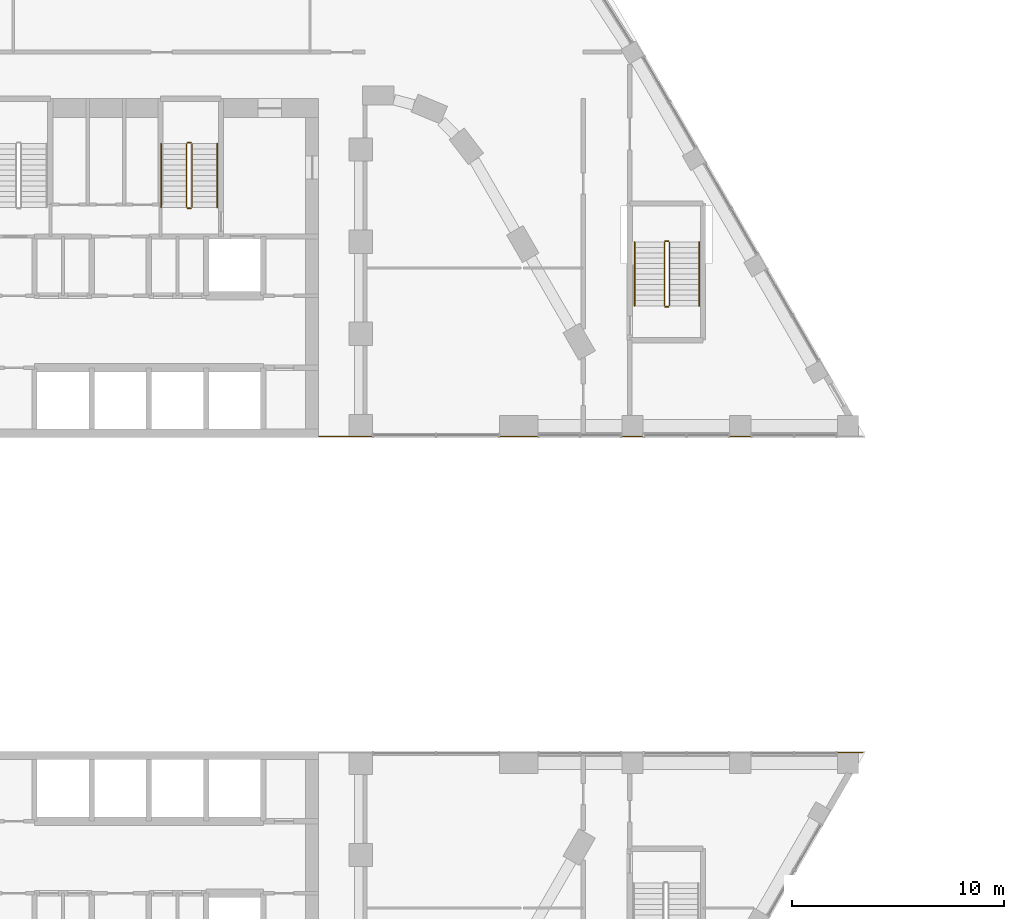
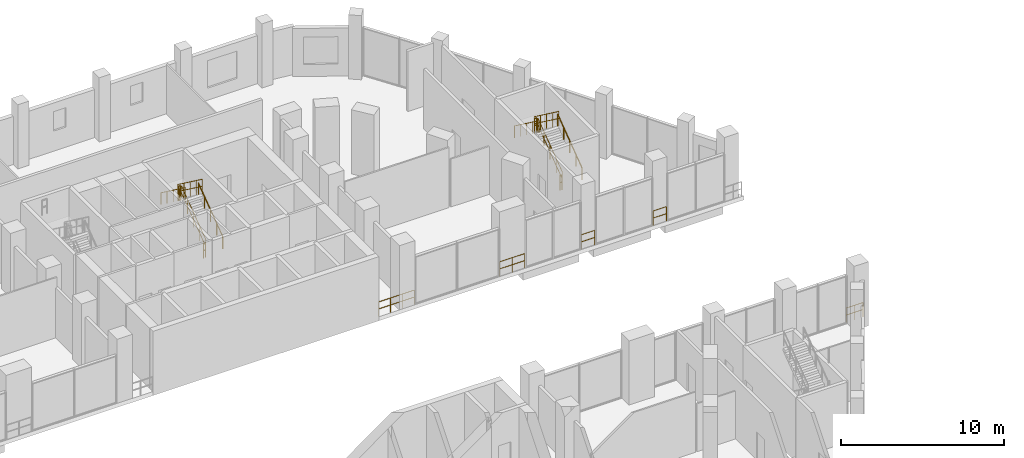
# One storey, part 39 of 45: 17 railings.
"""IFC4 building model written with IfcOpenShell, lengths in metres."""

from ifc_helpers import new_model, si_unit, direction, frame, origin, origin_2d, place, context, subcontext, project, spatial, circle, extrude, material, type_object, element, save


model = new_model("IFC4")

# Units and contexts
model_context = context("Model", 3, precision=1e-05, world=origin(), true_north=direction((0.0, 1.0)))
body_context = subcontext(model_context, "Body", "Model", "MODEL_VIEW")
ifc_project = project(units=[si_unit("LENGTHUNIT", "METRE"), si_unit("AREAUNIT", "SQUARE_METRE"), si_unit("VOLUMEUNIT", "CUBIC_METRE"), si_unit("PLANEANGLEUNIT", "RADIAN"), si_unit("MASSUNIT", "GRAM", prefix="KILO")], contexts=[model_context])

# Site, building, storey
site_placement = place(None, origin())
site = spatial("IfcSite", under=ifc_project, at=site_placement, CompositionType="ELEMENT")
building_placement = place(site_placement, origin())
building = spatial("IfcBuilding", under=site, at=building_placement, Name="Nakaniwa Court", CompositionType="ELEMENT")
storey_placement = place(building_placement, frame((0.0, 0.0, 6.60009765625)))
storey = spatial("IfcBuildingStorey", under=building, at=storey_placement, Name="L01", CompositionType="ELEMENT", Elevation=6.60009765625)

# Railings
ifc_material_1 = material(Name="Black powder coated steel guard", Category="steel")
railing_type_1 = type_object("IfcRailingType", Name="Stair guard 1100", PredefinedType="GUARDRAIL", material=ifc_material_1)
railing_1_placement = place(storey_placement, frame((82.02490234375, 98.27490234375, 0.1845703125)))
element("IfcRailing", 1, at=railing_1_placement, inside=storey, type_object=railing_type_1, Name="L01 ST2 stair guard 1", PredefinedType="GUARDRAIL", context=body_context, shape_type="SweptSolid", body=[
    extrude(circle(Radius=0.02392578125, at=origin_2d()), frame((0.0, 0.0, 1.076171875), z_axis=(0.0, 0.804440004972, 0.594033903411), x_axis=(-1.0, 0.0, 0.0)), (0.0, 0.0, 1.0), 3.729248046875),
    extrude(circle(Radius=0.02392578125, at=origin_2d()), frame((0.0, 0.0, 0.550048828125), z_axis=(0.0, 0.804440004972, 0.594033903411), x_axis=(-1.0, 0.0, 0.0)), (0.0, 0.0, 1.0), 3.729248046875),
    extrude(circle(Radius=0.02099609375, at=origin_2d()), origin(), (0.0, 0.0, 1.0), 1.052001953125),
    extrude(circle(Radius=0.02099609375, at=origin_2d()), frame((0.0, 0.75, 0.5537109375)), (0.0, 0.0, 1.0), 1.052001953125),
    extrude(circle(Radius=0.02099609375, at=origin_2d()), frame((0.0, 1.5, 1.107666015625)), (0.0, 0.0, 1.0), 1.052001953125),
    extrude(circle(Radius=0.02099609375, at=origin_2d()), frame((0.0, 2.25, 1.66162109375)), (0.0, 0.0, 1.0), 1.052001953125),
    extrude(circle(Radius=0.02099609375, at=origin_2d()), frame((0.0, 3.0, 2.21533203125)), (0.0, 0.0, 1.0), 1.052001953125),
])
railing_2_placement = place(storey_placement, frame((81.97509765625, 101.324951171875, 2.39990234375)))
element("IfcRailing", 2, at=railing_2_placement, inside=storey, type_object=railing_type_1, Name="L01 ST2 stair guard 2", PredefinedType="GUARDRAIL", context=body_context, shape_type="SweptSolid", body=[
    extrude(circle(Radius=0.02392578125, at=origin_2d()), frame((0.0, 0.0, 1.076171875), z_axis=(-1.0, 0.0, 0.0), x_axis=(0.0, -1.0, 0.0)), (0.0, 0.0, 1.0), 0.150146484375),
    extrude(circle(Radius=0.02392578125, at=origin_2d()), frame((0.0, 0.0, 0.550048828125), z_axis=(-1.0, 0.0, 0.0), x_axis=(0.0, -1.0, 0.0)), (0.0, 0.0, 1.0), 0.150146484375),
    extrude(circle(Radius=0.02099609375, at=origin_2d()), origin(), (0.0, 0.0, 1.0), 1.052001953125),
    extrude(circle(Radius=0.02099609375, at=origin_2d()), frame((-0.150146484375, 0.0, 0.0)), (0.0, 0.0, 1.0), 1.052001953125),
])
railing_3_placement = place(storey_placement, frame((81.77490234375, 101.27490234375, 2.58447265625)))
element("IfcRailing", 3, at=railing_3_placement, inside=storey, type_object=railing_type_1, Name="L01 ST2 stair guard 3", PredefinedType="GUARDRAIL", context=body_context, shape_type="SweptSolid", body=[
    extrude(circle(Radius=0.02392578125, at=origin_2d()), frame((0.0, 0.0, 1.076171875), z_axis=(0.0, -0.804440004972, 0.594033903411), x_axis=(1.0, 0.0, 0.0)), (0.0, 0.0, 1.0), 3.729248046875),
    extrude(circle(Radius=0.02392578125, at=origin_2d()), frame((0.0, 0.0, 0.550048828125), z_axis=(0.0, -0.804440004972, 0.594033903411), x_axis=(1.0, 0.0, 0.0)), (0.0, 0.0, 1.0), 3.729248046875),
    extrude(circle(Radius=0.02099609375, at=origin_2d()), origin(), (0.0, 0.0, 1.0), 1.052001953125),
    extrude(circle(Radius=0.02099609375, at=origin_2d()), frame((0.0, -0.75, 0.5537109375)), (0.0, 0.0, 1.0), 1.052001953125),
    extrude(circle(Radius=0.02099609375, at=origin_2d()), frame((0.0, -1.5, 1.107666015625)), (0.0, 0.0, 1.0), 1.052001953125),
    extrude(circle(Radius=0.02099609375, at=origin_2d()), frame((0.0, -2.25, 1.66162109375)), (0.0, 0.0, 1.0), 1.052001953125),
    extrude(circle(Radius=0.02099609375, at=origin_2d()), frame((0.0, -3.0, 2.21533203125)), (0.0, 0.0, 1.0), 1.052001953125),
])
railing_4_placement = place(storey_placement, frame((81.97509765625, 98.22509765625, 0.0)))
element("IfcRailing", 4, at=railing_4_placement, inside=storey, type_object=railing_type_1, Name="L01 ST2 stair guard 4", PredefinedType="GUARDRAIL", context=body_context, shape_type="SweptSolid", body=[
    extrude(circle(Radius=0.02392578125, at=origin_2d()), frame((0.0, 0.0, 1.076171875), z_axis=(-1.0, 0.0, 0.0), x_axis=(0.0, -1.0, 0.0)), (0.0, 0.0, 1.0), 0.150146484375),
    extrude(circle(Radius=0.02392578125, at=origin_2d()), frame((0.0, 0.0, 0.550048828125), z_axis=(-1.0, 0.0, 0.0), x_axis=(0.0, -1.0, 0.0)), (0.0, 0.0, 1.0), 0.150146484375),
    extrude(circle(Radius=0.02099609375, at=origin_2d()), origin(), (0.0, 0.0, 1.0), 1.052001953125),
    extrude(circle(Radius=0.02099609375, at=origin_2d()), frame((-0.150146484375, 0.0, 0.0)), (0.0, 0.0, 1.0), 1.052001953125),
])
railing_5_placement = place(storey_placement, frame((104.574951171875, 93.625, 0.1845703125)))
element("IfcRailing", 5, at=railing_5_placement, inside=storey, type_object=railing_type_1, Name="L01 SS1 stair guard 1", PredefinedType="GUARDRAIL", context=body_context, shape_type="SweptSolid", body=[
    extrude(circle(Radius=0.02392578125, at=origin_2d()), frame((0.0, 0.0, 1.076171875), z_axis=(0.0, 0.804440004972, 0.594033903411), x_axis=(-1.0, 0.0, 0.0)), (0.0, 0.0, 1.0), 3.729248046875),
    extrude(circle(Radius=0.02392578125, at=origin_2d()), frame((0.0, 0.0, 0.550048828125), z_axis=(0.0, 0.804440004972, 0.594033903411), x_axis=(-1.0, 0.0, 0.0)), (0.0, 0.0, 1.0), 3.729248046875),
    extrude(circle(Radius=0.02099609375, at=origin_2d()), origin(), (0.0, 0.0, 1.0), 1.052001953125),
    extrude(circle(Radius=0.02099609375, at=origin_2d()), frame((0.0, 0.75, 0.5537109375)), (0.0, 0.0, 1.0), 1.052001953125),
    extrude(circle(Radius=0.02099609375, at=origin_2d()), frame((0.0, 1.5, 1.107666015625)), (0.0, 0.0, 1.0), 1.052001953125),
    extrude(circle(Radius=0.02099609375, at=origin_2d()), frame((0.0, 2.25, 1.66162109375)), (0.0, 0.0, 1.0), 1.052001953125),
    extrude(circle(Radius=0.02099609375, at=origin_2d()), frame((0.0, 3.0, 2.21533203125)), (0.0, 0.0, 1.0), 1.052001953125),
])
railing_6_placement = place(storey_placement, frame((104.52490234375, 96.675048828125, 2.39990234375)))
element("IfcRailing", 6, at=railing_6_placement, inside=storey, type_object=railing_type_1, Name="L01 SS1 stair guard 2", PredefinedType="GUARDRAIL", context=body_context, shape_type="SweptSolid", body=[
    extrude(circle(Radius=0.02392578125, at=origin_2d()), frame((0.0, 0.0, 1.076171875), z_axis=(-1.0, 0.0, 0.0), x_axis=(0.0, -1.0, 0.0)), (0.0, 0.0, 1.0), 0.14990234375),
    extrude(circle(Radius=0.02392578125, at=origin_2d()), frame((0.0, 0.0, 0.550048828125), z_axis=(-1.0, 0.0, 0.0), x_axis=(0.0, -1.0, 0.0)), (0.0, 0.0, 1.0), 0.14990234375),
    extrude(circle(Radius=0.02099609375, at=origin_2d()), origin(), (0.0, 0.0, 1.0), 1.052001953125),
    extrude(circle(Radius=0.02099609375, at=origin_2d()), frame((-0.14990234375, 0.0, 0.0)), (0.0, 0.0, 1.0), 1.052001953125),
])
railing_7_placement = place(storey_placement, frame((104.324951171875, 96.625, 2.58447265625)))
element("IfcRailing", 7, at=railing_7_placement, inside=storey, type_object=railing_type_1, Name="L01 SS1 stair guard 3", PredefinedType="GUARDRAIL", context=body_context, shape_type="SweptSolid", body=[
    extrude(circle(Radius=0.02392578125, at=origin_2d()), frame((0.0, 0.0, 1.076171875), z_axis=(0.0, -0.804440004972, 0.594033903411), x_axis=(1.0, 0.0, 0.0)), (0.0, 0.0, 1.0), 3.729248046875),
    extrude(circle(Radius=0.02392578125, at=origin_2d()), frame((0.0, 0.0, 0.550048828125), z_axis=(0.0, -0.804440004972, 0.594033903411), x_axis=(1.0, 0.0, 0.0)), (0.0, 0.0, 1.0), 3.729248046875),
    extrude(circle(Radius=0.02099609375, at=origin_2d()), origin(), (0.0, 0.0, 1.0), 1.052001953125),
    extrude(circle(Radius=0.02099609375, at=origin_2d()), frame((0.0, -0.75, 0.5537109375)), (0.0, 0.0, 1.0), 1.052001953125),
    extrude(circle(Radius=0.02099609375, at=origin_2d()), frame((0.0, -1.5, 1.107666015625)), (0.0, 0.0, 1.0), 1.052001953125),
    extrude(circle(Radius=0.02099609375, at=origin_2d()), frame((0.0, -2.25, 1.66162109375)), (0.0, 0.0, 1.0), 1.052001953125),
    extrude(circle(Radius=0.02099609375, at=origin_2d()), frame((0.0, -3.0, 2.21533203125)), (0.0, 0.0, 1.0), 1.052001953125),
])
railing_8_placement = place(storey_placement, frame((104.52490234375, 93.574951171875, 0.0)))
element("IfcRailing", 8, at=railing_8_placement, inside=storey, type_object=railing_type_1, Name="L01 SS1 stair guard 4", PredefinedType="GUARDRAIL", context=body_context, shape_type="SweptSolid", body=[
    extrude(circle(Radius=0.02392578125, at=origin_2d()), frame((0.0, 0.0, 1.076171875), z_axis=(-1.0, 0.0, 0.0), x_axis=(0.0, -1.0, 0.0)), (0.0, 0.0, 1.0), 0.14990234375),
    extrude(circle(Radius=0.02392578125, at=origin_2d()), frame((0.0, 0.0, 0.550048828125), z_axis=(-1.0, 0.0, 0.0), x_axis=(0.0, -1.0, 0.0)), (0.0, 0.0, 1.0), 0.14990234375),
    extrude(circle(Radius=0.02099609375, at=origin_2d()), origin(), (0.0, 0.0, 1.0), 1.052001953125),
    extrude(circle(Radius=0.02099609375, at=origin_2d()), frame((-0.14990234375, 0.0, 0.0)), (0.0, 0.0, 1.0), 1.052001953125),
])
railing_9_placement = place(storey_placement, frame((112.513916015625, 72.550048828125, 0.0)))
element("IfcRailing", 9, at=railing_9_placement, inside=storey, type_object=railing_type_1, Name="GUARD GD-L01-010", PredefinedType="GUARDRAIL", context=body_context, shape_type="SweptSolid", body=[
    extrude(circle(Radius=0.02392578125, at=origin_2d()), frame((0.0, 0.0, 1.076171875), z_axis=(1.0, 0.0, 0.0), x_axis=(0.0, 1.0, 0.0)), (0.0, 0.0, 1.0), 1.18896484375),
    extrude(circle(Radius=0.02392578125, at=origin_2d()), frame((0.0, 0.0, 0.550048828125), z_axis=(1.0, 0.0, 0.0), x_axis=(0.0, 1.0, 0.0)), (0.0, 0.0, 1.0), 1.18896484375),
    extrude(circle(Radius=0.02099609375, at=origin_2d()), origin(), (0.0, 0.0, 1.0), 1.052001953125),
    extrude(circle(Radius=0.02099609375, at=origin_2d()), frame((0.594482421875, 0.0, 0.0)), (0.0, 0.0, 1.0), 1.052001953125),
    extrude(circle(Radius=0.02099609375, at=origin_2d()), frame((1.18896484375, 0.0, 0.0)), (0.0, 0.0, 1.0), 1.052001953125),
])
railing_10_placement = place(storey_placement, frame((108.389892578125, 87.449951171875, 0.0)))
element("IfcRailing", 10, at=railing_10_placement, inside=storey, type_object=railing_type_1, Name="GUARD GD-L01-012", PredefinedType="GUARDRAIL", context=body_context, shape_type="SweptSolid", body=[
    extrude(circle(Radius=0.02392578125, at=origin_2d()), frame((0.0, 0.0, 1.076171875), z_axis=(-1.0, 0.0, 0.0), x_axis=(0.0, -1.0, 0.0)), (0.0, 0.0, 1.0), 0.95947265625),
    extrude(circle(Radius=0.02392578125, at=origin_2d()), frame((0.0, 0.0, 0.550048828125), z_axis=(-1.0, 0.0, 0.0), x_axis=(0.0, -1.0, 0.0)), (0.0, 0.0, 1.0), 0.95947265625),
    extrude(circle(Radius=0.02099609375, at=origin_2d()), origin(), (0.0, 0.0, 1.0), 1.052001953125),
    extrude(circle(Radius=0.02099609375, at=origin_2d()), frame((-0.95947265625, 0.0, 0.0)), (0.0, 0.0, 1.0), 1.052001953125),
])
railing_11_placement = place(storey_placement, frame((103.296142578125, 87.449951171875, 0.0)))
element("IfcRailing", 11, at=railing_11_placement, inside=storey, type_object=railing_type_1, Name="GUARD GD-L01-013", PredefinedType="GUARDRAIL", context=body_context, shape_type="SweptSolid", body=[
    extrude(circle(Radius=0.02392578125, at=origin_2d()), frame((0.0, 0.0, 1.076171875), z_axis=(-1.0, 0.0, 0.0), x_axis=(0.0, -1.0, 0.0)), (0.0, 0.0, 1.0), 0.939453125),
    extrude(circle(Radius=0.02392578125, at=origin_2d()), frame((0.0, 0.0, 0.550048828125), z_axis=(-1.0, 0.0, 0.0), x_axis=(0.0, -1.0, 0.0)), (0.0, 0.0, 1.0), 0.939453125),
    extrude(circle(Radius=0.02099609375, at=origin_2d()), origin(), (0.0, 0.0, 1.0), 1.052001953125),
    extrude(circle(Radius=0.02099609375, at=origin_2d()), frame((-0.939453125, 0.0, 0.0)), (0.0, 0.0, 1.0), 1.052001953125),
])
railing_12_placement = place(storey_placement, frame((98.34228515625, 87.449951171875, 0.0)))
element("IfcRailing", 12, at=railing_12_placement, inside=storey, type_object=railing_type_1, Name="GUARD GD-L01-014", PredefinedType="GUARDRAIL", context=body_context, shape_type="SweptSolid", body=[
    extrude(circle(Radius=0.02392578125, at=origin_2d()), frame((0.0, 0.0, 1.076171875), z_axis=(-1.0, 0.0, 0.0), x_axis=(0.0, -1.0, 0.0)), (0.0, 0.0, 1.0), 1.768310546875),
    extrude(circle(Radius=0.02392578125, at=origin_2d()), frame((0.0, 0.0, 0.550048828125), z_axis=(-1.0, 0.0, 0.0), x_axis=(0.0, -1.0, 0.0)), (0.0, 0.0, 1.0), 1.768310546875),
    extrude(circle(Radius=0.02099609375, at=origin_2d()), origin(), (0.0, 0.0, 1.0), 1.052001953125),
    extrude(circle(Radius=0.02099609375, at=origin_2d()), frame((-0.88427734375, 0.0, 0.0)), (0.0, 0.0, 1.0), 1.052001953125),
    extrude(circle(Radius=0.02099609375, at=origin_2d()), frame((-1.768310546875, 0.0, 0.0)), (0.0, 0.0, 1.0), 1.052001953125),
])
railing_13_placement = place(storey_placement, frame((90.52197265625, 87.449951171875, 0.0)))
element("IfcRailing", 13, at=railing_13_placement, inside=storey, type_object=railing_type_1, Name="GUARD GD-L01-015", PredefinedType="GUARDRAIL", context=body_context, shape_type="SweptSolid", body=[
    extrude(circle(Radius=0.02392578125, at=origin_2d()), frame((0.0, 0.0, 1.076171875), z_axis=(-1.0, 0.0, 0.0), x_axis=(0.0, -1.0, 0.0)), (0.0, 0.0, 1.0), 2.507080078125),
    extrude(circle(Radius=0.02392578125, at=origin_2d()), frame((0.0, 0.0, 0.550048828125), z_axis=(-1.0, 0.0, 0.0), x_axis=(0.0, -1.0, 0.0)), (0.0, 0.0, 1.0), 2.507080078125),
    extrude(circle(Radius=0.02099609375, at=origin_2d()), origin(), (0.0, 0.0, 1.0), 1.052001953125),
    extrude(circle(Radius=0.02099609375, at=origin_2d()), frame((-0.835693359375, 0.0, 0.0)), (0.0, 0.0, 1.0), 1.052001953125),
    extrude(circle(Radius=0.02099609375, at=origin_2d()), frame((-1.67138671875, 0.0, 0.0)), (0.0, 0.0, 1.0), 1.052001953125),
    extrude(circle(Radius=0.02099609375, at=origin_2d()), frame((-2.507080078125, 0.0, 0.0)), (0.0, 0.0, 1.0), 1.052001953125),
])
ifc_material_2 = material(Name="Black powder coated steel handrail", Category="steel")
railing_type_2 = type_object("IfcRailingType", Name="Stair handrail 900", PredefinedType="HANDRAIL", material=ifc_material_2)
railing_14_placement = place(storey_placement, frame((83.22509765625, 98.27490234375, 0.1845703125)))
element("IfcRailing", 14, at=railing_14_placement, inside=storey, type_object=railing_type_2, Name="L01 ST2 stair handrail 1", PredefinedType="HANDRAIL", context=body_context, shape_type="SweptSolid", body=[
    extrude(circle(Radius=0.02392578125, at=origin_2d()), frame((0.0, 0.0, 0.8759765625), z_axis=(0.0, 0.804440004972, 0.594033903411), x_axis=(-1.0, 0.0, 0.0)), (0.0, 0.0, 1.0), 3.729248046875),
    extrude(circle(Radius=0.02099609375, at=origin_2d()), origin(), (0.0, 0.0, 1.0), 0.851806640625),
    extrude(circle(Radius=0.02099609375, at=origin_2d()), frame((0.0, 0.75, 0.5537109375)), (0.0, 0.0, 1.0), 0.851806640625),
    extrude(circle(Radius=0.02099609375, at=origin_2d()), frame((0.0, 1.5, 1.107666015625)), (0.0, 0.0, 1.0), 0.851806640625),
    extrude(circle(Radius=0.02099609375, at=origin_2d()), frame((0.0, 2.25, 1.66162109375)), (0.0, 0.0, 1.0), 0.851806640625),
    extrude(circle(Radius=0.02099609375, at=origin_2d()), frame((0.0, 3.0, 2.21533203125)), (0.0, 0.0, 1.0), 0.851806640625),
])
railing_15_placement = place(storey_placement, frame((80.574951171875, 101.27490234375, 2.58447265625)))
element("IfcRailing", 15, at=railing_15_placement, inside=storey, type_object=railing_type_2, Name="L01 ST2 stair handrail 2", PredefinedType="HANDRAIL", context=body_context, shape_type="SweptSolid", body=[
    extrude(circle(Radius=0.02392578125, at=origin_2d()), frame((0.0, 0.0, 0.8759765625), z_axis=(0.0, -0.804440004972, 0.594033903411), x_axis=(1.0, 0.0, 0.0)), (0.0, 0.0, 1.0), 3.729248046875),
    extrude(circle(Radius=0.02099609375, at=origin_2d()), origin(), (0.0, 0.0, 1.0), 0.851806640625),
    extrude(circle(Radius=0.02099609375, at=origin_2d()), frame((0.0, -0.75, 0.5537109375)), (0.0, 0.0, 1.0), 0.851806640625),
    extrude(circle(Radius=0.02099609375, at=origin_2d()), frame((0.0, -1.5, 1.107666015625)), (0.0, 0.0, 1.0), 0.851806640625),
    extrude(circle(Radius=0.02099609375, at=origin_2d()), frame((0.0, -2.25, 1.66162109375)), (0.0, 0.0, 1.0), 0.851806640625),
    extrude(circle(Radius=0.02099609375, at=origin_2d()), frame((0.0, -3.0, 2.21533203125)), (0.0, 0.0, 1.0), 0.851806640625),
])
railing_16_placement = place(storey_placement, frame((105.97509765625, 93.625, 0.1845703125)))
element("IfcRailing", 16, at=railing_16_placement, inside=storey, type_object=railing_type_2, Name="L01 SS1 stair handrail 1", PredefinedType="HANDRAIL", context=body_context, shape_type="SweptSolid", body=[
    extrude(circle(Radius=0.02392578125, at=origin_2d()), frame((0.0, 0.0, 0.8759765625), z_axis=(0.0, 0.804440004972, 0.594033903411), x_axis=(-1.0, 0.0, 0.0)), (0.0, 0.0, 1.0), 3.729248046875),
    extrude(circle(Radius=0.02099609375, at=origin_2d()), origin(), (0.0, 0.0, 1.0), 0.851806640625),
    extrude(circle(Radius=0.02099609375, at=origin_2d()), frame((0.0, 0.75, 0.5537109375)), (0.0, 0.0, 1.0), 0.851806640625),
    extrude(circle(Radius=0.02099609375, at=origin_2d()), frame((0.0, 1.5, 1.107666015625)), (0.0, 0.0, 1.0), 0.851806640625),
    extrude(circle(Radius=0.02099609375, at=origin_2d()), frame((0.0, 2.25, 1.66162109375)), (0.0, 0.0, 1.0), 0.851806640625),
    extrude(circle(Radius=0.02099609375, at=origin_2d()), frame((0.0, 3.0, 2.21533203125)), (0.0, 0.0, 1.0), 0.851806640625),
])
railing_17_placement = place(storey_placement, frame((102.925048828125, 96.625, 2.58447265625)))
element("IfcRailing", 17, at=railing_17_placement, inside=storey, type_object=railing_type_2, Name="L01 SS1 stair handrail 2", PredefinedType="HANDRAIL", context=body_context, shape_type="SweptSolid", body=[
    extrude(circle(Radius=0.02392578125, at=origin_2d()), frame((0.0, 0.0, 0.8759765625), z_axis=(0.0, -0.804440004972, 0.594033903411), x_axis=(1.0, 0.0, 0.0)), (0.0, 0.0, 1.0), 3.729248046875),
    extrude(circle(Radius=0.02099609375, at=origin_2d()), origin(), (0.0, 0.0, 1.0), 0.851806640625),
    extrude(circle(Radius=0.02099609375, at=origin_2d()), frame((0.0, -0.75, 0.5537109375)), (0.0, 0.0, 1.0), 0.851806640625),
    extrude(circle(Radius=0.02099609375, at=origin_2d()), frame((0.0, -1.5, 1.107666015625)), (0.0, 0.0, 1.0), 0.851806640625),
    extrude(circle(Radius=0.02099609375, at=origin_2d()), frame((0.0, -2.25, 1.66162109375)), (0.0, 0.0, 1.0), 0.851806640625),
    extrude(circle(Radius=0.02099609375, at=origin_2d()), frame((0.0, -3.0, 2.21533203125)), (0.0, 0.0, 1.0), 0.851806640625),
])

save(model, "model.ifc")
